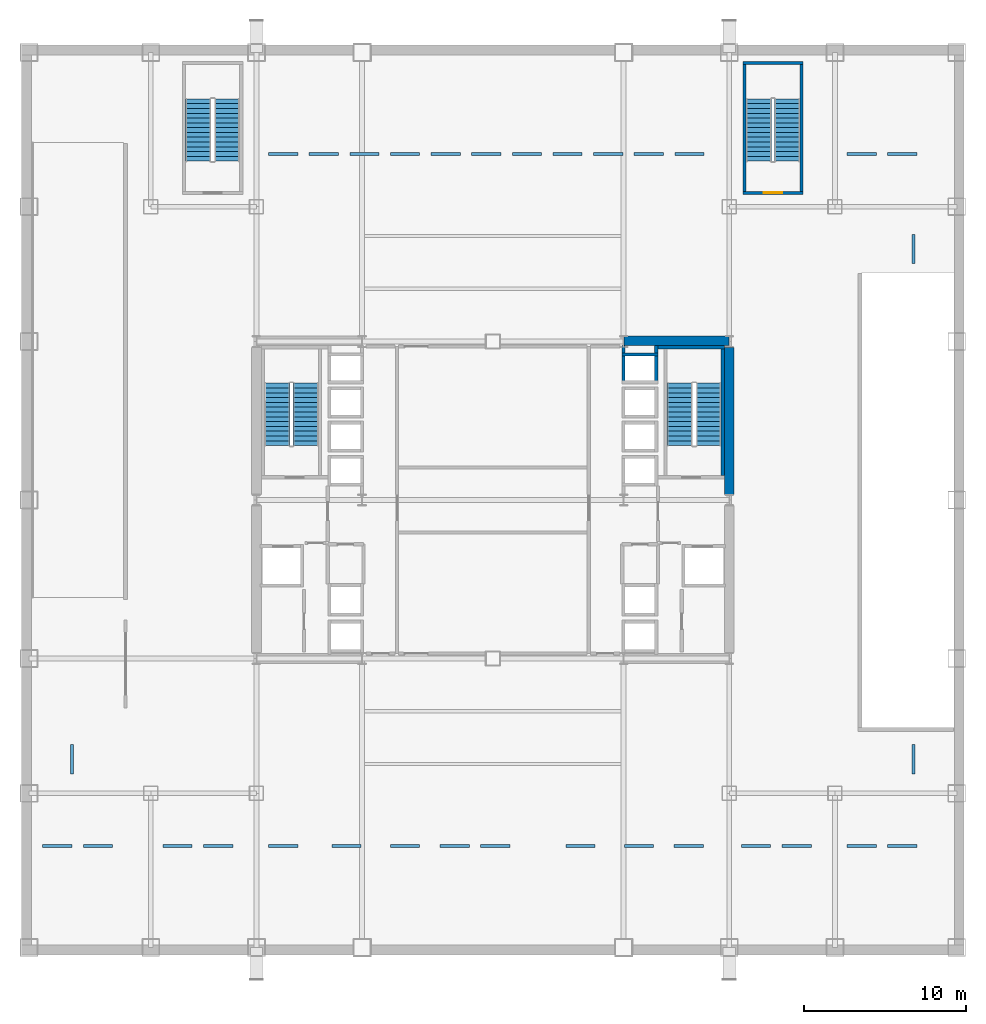
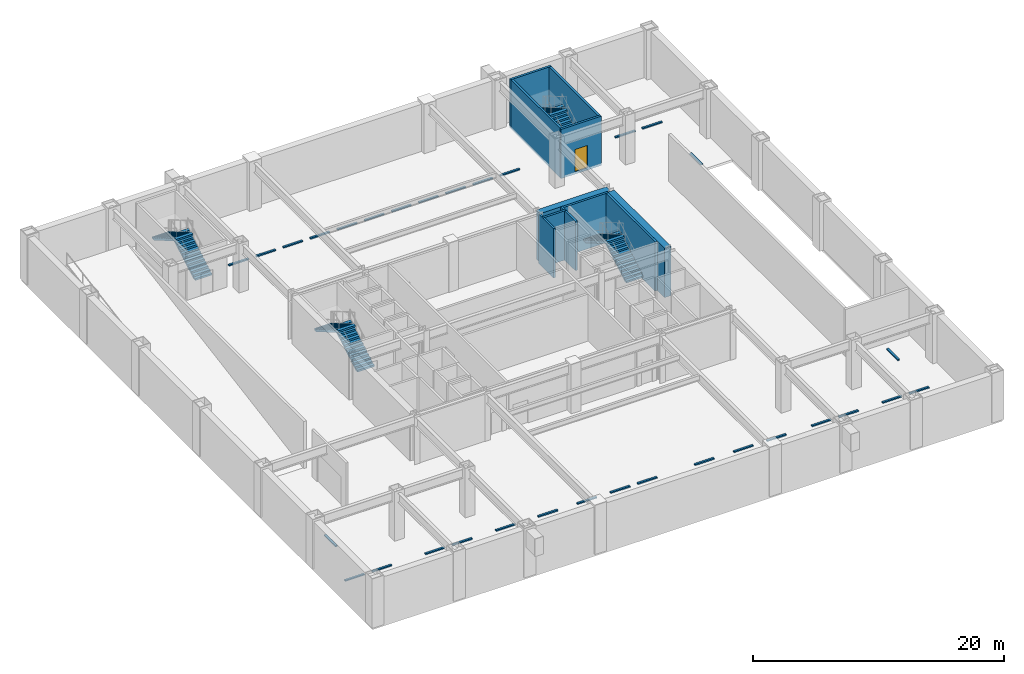
# One storey, part 8 of 10: 32 discrete accessories, 11 walls, 8 stair flights, 1 door, 1 opening, 4 elements without a shape of their own.
"""IFC4 building model written with IfcOpenShell, lengths in metres."""

from ifc_helpers import new_model, si_unit, direction, frame, frame_2d, origin, origin_2d, place, context, subcontext, project, spatial, polyline, rectangle, outline, extrude, material, layer, layer_set, type_object, element, fill, aggregate, save


model = new_model("IFC4")

# Units and contexts
model_context = context("Model", 3, precision=1e-05, world=origin(), true_north=direction((0.0, 1.0)))
body_context = subcontext(model_context, "Body", "Model", "MODEL_VIEW")
ifc_project = project(units=[si_unit("LENGTHUNIT", "METRE"), si_unit("AREAUNIT", "SQUARE_METRE"), si_unit("VOLUMEUNIT", "CUBIC_METRE"), si_unit("PLANEANGLEUNIT", "RADIAN"), si_unit("MASSUNIT", "GRAM", prefix="KILO")], contexts=[model_context])

# Site, building, storey
site_placement = place(None, origin())
site = spatial("IfcSite", under=ifc_project, at=site_placement, CompositionType="ELEMENT")
building_placement = place(site_placement, origin())
building = spatial("IfcBuilding", under=site, at=building_placement, Name="Brelmoor Portico Tower", CompositionType="ELEMENT")
storey_placement = place(building_placement, frame((0.0, 0.0, -4.800048828125)))
storey = spatial("IfcBuildingStorey", under=building, at=storey_placement, Name="B1", CompositionType="ELEMENT", Elevation=-4.800048828125)

# Walls
ifc_material_1 = material(Name="Concrete C60", Category="concrete")
ifc_layer_1 = layer(ifc_material_1, 0.60009765625)
ifc_layer_set_1 = layer_set([ifc_layer_1], Name="Concrete C60")
wall_type_1 = type_object("IfcWallType", Name="WL-CORE-600", PredefinedType="SHEAR", material=ifc_layer_set_1)
wall_1_placement = place(storey_placement, frame((8.070068359375, 9.800048828125, -0.219970703125), z_axis=(0.0, 0.0, 1.0), x_axis=(1.0, 0.0, 0.0)))
element("IfcWall", 1, at=wall_1_placement, inside=storey, type_object=wall_type_1, Name="B1 EC North Shear Wall", PredefinedType="SHEAR", context=body_context, shape_type="SweptSolid", body=[
    extrude(rectangle(XDim=6.4599609375, YDim=0.60009765625, at=frame_2d((3.22998046875, 0.0))), origin(), (0.0, 0.0, 1.0), 4.800048828125),
])
wall_2_placement = place(storey_placement, frame((14.550048828125, 0.35009765625, -0.219970703125), z_axis=(0.0, 0.0, 1.0), x_axis=(0.0, 1.0, 0.0)))
element("IfcWall", 2, at=wall_2_placement, inside=storey, type_object=wall_type_1, Name="B1 EC Outer North Shear Wall", PredefinedType="SHEAR", context=body_context, shape_type="SweptSolid", body=[
    extrude(rectangle(XDim=9.0498046875, YDim=0.60009765625, at=frame_2d((4.52490234375, 0.0))), origin(), (0.0, 0.0, 1.0), 4.800048828125),
])
ifc_material_2 = material(Name="Precast Concrete C40", Category="concrete")
ifc_layer_2 = layer(ifc_material_2, 0.18994140625)
ifc_layer_set_2 = layer_set([ifc_layer_2], Name="Precast Concrete C40")
wall_type_2 = type_object("IfcWallType", Name="WL-SHAFT-180", PredefinedType="SOLIDWALL", material=ifc_layer_set_2)
for number, where, z_axis, x_axis, name in (
    (3, (8.044921875, 7.14990234375, -0.219970703125), (0.0, 0.0, 1.0), (0.0, 1.0, 0.0), "B1 Lift PM4 Hoistway Front Wall"),
    (4, (10.054931640625, 7.14990234375, -0.219970703125), (0.0, 0.0, 1.0), (0.0, 1.0, 0.0), "B1 Lift PM4 Hoistway Back Wall"),
):
    element("IfcWall", number, at=place(storey_placement, frame(where, z_axis=z_axis, x_axis=x_axis)), inside=storey, type_object=wall_type_2, Name=name, PredefinedType="SOLIDWALL", context=body_context, shape_type="SweptSolid", body=[
        extrude(rectangle(XDim=2.3701171875, YDim=0.18994140625, at=frame_2d((1.18505859375, 0.0))), origin(), (0.0, 0.0, 1.0), 4.800048828125),
    ])
wall_3_placement = place(storey_placement, frame((7.949951171875, 8.955078125, -0.219970703125), z_axis=(0.0, 0.0, 1.0), x_axis=(1.0, 0.0, 0.0)))
element("IfcWall", 5, at=wall_3_placement, inside=storey, type_object=wall_type_2, Name="B1 Lift PM4 Hoistway North Wall", PredefinedType="SOLIDWALL", context=body_context, shape_type="SweptSolid", body=[
    extrude(rectangle(XDim=2.199951171875, YDim=0.18994140625, at=frame_2d((1.10009765625, 0.0))), origin(), (0.0, 0.0, 1.0), 4.800048828125),
])
ifc_material_3 = material(Name="Concrete C40", Category="concrete")
ifc_layer_3 = layer(ifc_material_3, 0.199951171875)
ifc_layer_set_3 = layer_set([ifc_layer_3], Name="Concrete C40")
wall_type_3 = type_object("IfcWallType", Name="WL-SHAFT-RC200", PredefinedType="SOLIDWALL", material=ifc_layer_set_3)
wall_4_placement = place(storey_placement, frame((14.14990234375, 1.5, -0.219970703125), z_axis=(0.0, 0.0, 1.0), x_axis=(0.0, 1.0, 0.0)))
element("IfcWall", 6, at=wall_4_placement, inside=storey, type_object=wall_type_3, Name="B1 ST-E Structural Stair Wall Outer", PredefinedType="SOLIDWALL", context=body_context, shape_type="SweptSolid", body=[
    extrude(rectangle(XDim=7.800048828125, YDim=0.199951171875, at=frame_2d((3.89990234375, 0.0))), origin(), (0.0, 0.0, 1.0), 4.800048828125),
])
wall_5_placement = place(storey_placement, frame((10.14990234375, 9.39990234375, -0.219970703125), z_axis=(0.0, 0.0, 1.0), x_axis=(1.0, 0.0, 0.0)))
element("IfcWall", 7, at=wall_5_placement, inside=storey, type_object=wall_type_3, Name="B1 ST-E Structural Stair Wall N", PredefinedType="SOLIDWALL", context=body_context, shape_type="SweptSolid", body=[
    extrude(rectangle(XDim=4.10009765625, YDim=0.199951171875, at=frame_2d((2.050048828125, 0.0))), origin(), (0.0, 0.0, 1.0), 4.800048828125),
])

# Wall, opening, door
wall_6_placement = place(storey_placement, frame((15.3798828125, 18.89990234375, -0.219970703125), z_axis=(0.0, 0.0, 1.0), x_axis=(1.0, 0.0, 0.0)))
wall_6 = element("IfcWall", 8, at=wall_6_placement, inside=storey, type_object=wall_type_3, Name="B1 ST-P2 Structural Stair Wall S", PredefinedType="SOLIDWALL", context=body_context, shape_type="SweptSolid", body=[
    extrude(rectangle(XDim=3.72021484375, YDim=0.199951171875, at=frame_2d((1.860107421875, 0.0))), origin(), (0.0, 0.0, 1.0), 4.800048828125),
])
opening_placement = place(wall_6_placement, frame((1.300048828125, 0.0, 0.219970703125)))
opening = element("IfcOpeningElement", 9, at=opening_placement, cuts=wall_6, Name="Opening D-ST1", PredefinedType="OPENING", context=body_context, shape_type="SweptSolid", body=[
    extrude(rectangle(XDim=1.1201171875, YDim=2.179931640625, at=frame_2d((0.56005859375, 1.08984375))), frame((0.0, 0.10986328125, 0.0), z_axis=(0.0, -1.0, 0.0), x_axis=(1.0, 0.0, 0.0)), (0.0, 0.0, 1.0), 0.219970703125),
])
ifc_material_4 = material(Name="Painted Galvanised Steel Fire Door", Category="steel")
door_type = type_object("IfcDoorType", Name="DR-STAIR-1100", OperationType="NOTDEFINED", PredefinedType="DOOR", material=ifc_material_4)
door_placement = place(opening_placement, origin())
door = element("IfcDoor", 10, at=door_placement, inside=storey, type_object=door_type, Name="D-0038 B1 ST-P2 Podium Exit Stair Door", OperationType="SINGLE_SWING_RIGHT", OverallHeight=2.179931640625, OverallWidth=1.1201171875, PredefinedType="DOOR", context=body_context, shape_type="SweptSolid", body=[
    extrude(rectangle(XDim=1.1201171875, YDim=2.179931640625, at=frame_2d((0.56005859375, 1.08984375))), frame((0.0, 0.02490234375, 0.0), z_axis=(0.0, -1.0, 0.0), x_axis=(1.0, 0.0, 0.0)), (0.0, 0.0, 1.0), 0.050048828125),
])
fill(opening, door)

# Walls
wall_7_placement = place(storey_placement, frame((15.3798828125, 26.89990234375, -0.219970703125), z_axis=(0.0, 0.0, 1.0), x_axis=(1.0, 0.0, 0.0)))
element("IfcWall", 11, at=wall_7_placement, inside=storey, type_object=wall_type_3, Name="B1 ST-P2 Structural Stair Wall N", PredefinedType="SOLIDWALL", context=body_context, shape_type="SweptSolid", body=[
    extrude(rectangle(XDim=3.72021484375, YDim=0.199951171875, at=frame_2d((1.860107421875, 0.0))), origin(), (0.0, 0.0, 1.0), 4.800048828125),
])
for number, where, z_axis, x_axis, name in (
    (12, (15.47998046875, 19.0, -0.219970703125), (0.0, 0.0, 1.0), (0.0, 1.0, 0.0), "B1 ST-P2 Structural Stair Wall W"),
    (13, (19.0, 19.0, -0.219970703125), (0.0, 0.0, 1.0), (0.0, 1.0, 0.0), "B1 ST-P2 Structural Stair Wall E"),
):
    element("IfcWall", number, at=place(storey_placement, frame(where, z_axis=z_axis, x_axis=x_axis)), inside=storey, type_object=wall_type_3, Name=name, PredefinedType="SOLIDWALL", context=body_context, shape_type="SweptSolid", body=[
        extrude(rectangle(XDim=7.800048828125, YDim=0.199951171875, at=frame_2d((3.89990234375, 0.0))), origin(), (0.0, 0.0, 1.0), 4.800048828125),
    ])

# Stair, stair flights
stair_type_1 = type_object("IfcStairType", Name="ST-CORE-W", PredefinedType="HALF_TURN_STAIR", material=ifc_material_3)
stair_1_placement = place(storey_placement, origin())
stair_1 = element("IfcStair", 14, at=stair_1_placement, inside=storey, type_object=stair_type_1, Name="B1 Protected Core Exit Stair ST-W", PredefinedType="HALF_TURN_STAIR")
stair_flight_type = type_object("IfcStairFlightType", Name="SF-CORE-1850", PredefinedType="STRAIGHT", material=ifc_material_3)
stair_flight_1_placement = place(storey_placement, frame((-11.510009765625, 3.35009765625, 0.0), z_axis=(0.0, 0.0, 1.0), x_axis=(0.0, 1.0, 0.0)))
stair_flight_1 = element("IfcStairFlight", 15, at=stair_flight_1_placement, type_object=stair_flight_type, Name="ST-W flight 1", NumberOfRisers=14, NumberOfTreads=13, PredefinedType="STRAIGHT", RiserHeight=0.171428571, TreadLength=0.295, context=body_context, shape_type="SweptSolid", body=[
    extrude(outline(polyline([(0.0, 0.0), (0.0, 0.17138671875), (0.294921875, 0.17138671875), (0.294921875, 0.3427734375), (0.590087890625, 0.3427734375), (0.590087890625, 0.514404296875), (0.885009765625, 0.514404296875), (0.885009765625, 0.685791015625), (1.179931640625, 0.685791015625), (1.179931640625, 0.857177734375), (1.47509765625, 0.857177734375), (1.47509765625, 1.028564453125), (1.77001953125, 1.028564453125), (1.77001953125, 1.199951171875), (2.06494140625, 1.199951171875), (2.06494140625, 1.371337890625), (2.360107421875, 1.371337890625), (2.360107421875, 1.54296875), (2.655029296875, 1.54296875), (2.655029296875, 1.71435546875), (2.949951171875, 1.71435546875), (2.949951171875, 1.8857421875), (3.2451171875, 1.8857421875), (3.2451171875, 2.05712890625), (3.5400390625, 2.05712890625), (3.5400390625, 2.228515625), (3.8349609375, 2.228515625), (3.8349609375, 2.39990234375), (3.8349609375, 2.05517578125), (0.29833984375, 0.0), (0.0, 0.0)])), frame((0.0, 0.780029296875, 0.0), z_axis=(0.0, -1.0, 0.0), x_axis=(1.0, 0.0, 0.0)), (0.0, 0.0, 1.0), 1.56005859375),
])
stair_flight_2_placement = place(storey_placement, frame((-13.27001953125, 7.18505859375, 2.400146484375), z_axis=(0.0, 0.0, 1.0), x_axis=(0.0, -1.0, 0.0)))
stair_flight_2 = element("IfcStairFlight", 16, at=stair_flight_2_placement, type_object=stair_flight_type, Name="ST-W flight 2", NumberOfRisers=14, NumberOfTreads=13, PredefinedType="STRAIGHT", RiserHeight=0.171428571, TreadLength=0.295, context=body_context, shape_type="SweptSolid", body=[
    extrude(outline(polyline([(0.0, 0.0), (0.0, 0.17138671875), (0.294921875, 0.17138671875), (0.294921875, 0.3427734375), (0.590087890625, 0.3427734375), (0.590087890625, 0.514404296875), (0.885009765625, 0.514404296875), (0.885009765625, 0.685791015625), (1.179931640625, 0.685791015625), (1.179931640625, 0.857177734375), (1.47509765625, 0.857177734375), (1.47509765625, 1.028564453125), (1.77001953125, 1.028564453125), (1.77001953125, 1.199951171875), (2.06494140625, 1.199951171875), (2.06494140625, 1.371337890625), (2.360107421875, 1.371337890625), (2.360107421875, 1.54296875), (2.655029296875, 1.54296875), (2.655029296875, 1.71435546875), (2.949951171875, 1.71435546875), (2.949951171875, 1.8857421875), (3.2451171875, 1.8857421875), (3.2451171875, 2.05712890625), (3.5400390625, 2.05712890625), (3.5400390625, 2.228515625), (3.8349609375, 2.228515625), (3.8349609375, 2.39990234375), (3.8349609375, 2.05517578125), (0.29833984375, 0.0), (0.0, 0.0)])), frame((0.0, 0.780029296875, 0.0), z_axis=(0.0, -1.0, 0.0), x_axis=(1.0, 0.0, 0.0)), (0.0, 0.0, 1.0), 1.56005859375),
])
aggregate(stair_1, [stair_flight_1, stair_flight_2])

stair_type_2 = type_object("IfcStairType", Name="ST-CORE-E", PredefinedType="HALF_TURN_STAIR", material=ifc_material_3)
stair_2_placement = place(storey_placement, origin())
stair_2 = element("IfcStair", 17, at=stair_2_placement, inside=storey, type_object=stair_type_2, Name="B1 Protected Core Exit Stair ST-E", PredefinedType="HALF_TURN_STAIR")
stair_flight_3_placement = place(storey_placement, frame((13.27001953125, 3.35009765625, 0.0), z_axis=(0.0, 0.0, 1.0), x_axis=(0.0, 1.0, 0.0)))
stair_flight_3 = element("IfcStairFlight", 18, at=stair_flight_3_placement, type_object=stair_flight_type, Name="ST-E flight 1", NumberOfRisers=14, NumberOfTreads=13, PredefinedType="STRAIGHT", RiserHeight=0.171428571, TreadLength=0.295, context=body_context, shape_type="SweptSolid", body=[
    extrude(outline(polyline([(0.0, 0.0), (0.0, 0.17138671875), (0.294921875, 0.17138671875), (0.294921875, 0.3427734375), (0.590087890625, 0.3427734375), (0.590087890625, 0.514404296875), (0.885009765625, 0.514404296875), (0.885009765625, 0.685791015625), (1.179931640625, 0.685791015625), (1.179931640625, 0.857177734375), (1.47509765625, 0.857177734375), (1.47509765625, 1.028564453125), (1.77001953125, 1.028564453125), (1.77001953125, 1.199951171875), (2.06494140625, 1.199951171875), (2.06494140625, 1.371337890625), (2.360107421875, 1.371337890625), (2.360107421875, 1.54296875), (2.655029296875, 1.54296875), (2.655029296875, 1.71435546875), (2.949951171875, 1.71435546875), (2.949951171875, 1.8857421875), (3.2451171875, 1.8857421875), (3.2451171875, 2.05712890625), (3.5400390625, 2.05712890625), (3.5400390625, 2.228515625), (3.8349609375, 2.228515625), (3.8349609375, 2.39990234375), (3.8349609375, 2.05517578125), (0.29833984375, 0.0), (0.0, 0.0)])), frame((0.0, 0.780029296875, 0.0), z_axis=(0.0, -1.0, 0.0), x_axis=(1.0, 0.0, 0.0)), (0.0, 0.0, 1.0), 1.56005859375),
])
stair_flight_4_placement = place(storey_placement, frame((11.510009765625, 7.18505859375, 2.400146484375), z_axis=(0.0, 0.0, 1.0), x_axis=(0.0, -1.0, 0.0)))
stair_flight_4 = element("IfcStairFlight", 19, at=stair_flight_4_placement, type_object=stair_flight_type, Name="ST-E flight 2", NumberOfRisers=14, NumberOfTreads=13, PredefinedType="STRAIGHT", RiserHeight=0.171428571, TreadLength=0.295, context=body_context, shape_type="SweptSolid", body=[
    extrude(outline(polyline([(0.0, 0.0), (0.0, 0.17138671875), (0.294921875, 0.17138671875), (0.294921875, 0.3427734375), (0.590087890625, 0.3427734375), (0.590087890625, 0.514404296875), (0.885009765625, 0.514404296875), (0.885009765625, 0.685791015625), (1.179931640625, 0.685791015625), (1.179931640625, 0.857177734375), (1.47509765625, 0.857177734375), (1.47509765625, 1.028564453125), (1.77001953125, 1.028564453125), (1.77001953125, 1.199951171875), (2.06494140625, 1.199951171875), (2.06494140625, 1.371337890625), (2.360107421875, 1.371337890625), (2.360107421875, 1.54296875), (2.655029296875, 1.54296875), (2.655029296875, 1.71435546875), (2.949951171875, 1.71435546875), (2.949951171875, 1.8857421875), (3.2451171875, 1.8857421875), (3.2451171875, 2.05712890625), (3.5400390625, 2.05712890625), (3.5400390625, 2.228515625), (3.8349609375, 2.228515625), (3.8349609375, 2.39990234375), (3.8349609375, 2.05517578125), (0.29833984375, 0.0), (0.0, 0.0)])), frame((0.0, 0.780029296875, 0.0), z_axis=(0.0, -1.0, 0.0), x_axis=(1.0, 0.0, 0.0)), (0.0, 0.0, 1.0), 1.56005859375),
])
aggregate(stair_2, [stair_flight_3, stair_flight_4])

stair_type_3 = type_object("IfcStairType", Name="ST-POD-P1", PredefinedType="HALF_TURN_STAIR", material=ifc_material_3)
stair_3_placement = place(storey_placement, origin())
stair_3 = element("IfcStair", 20, at=stair_3_placement, inside=storey, type_object=stair_type_3, Name="B1 Podium Protected Exit Stair ST-P1", PredefinedType="HALF_TURN_STAIR")
stair_flight_5_placement = place(storey_placement, frame((-16.360107421875, 20.85009765625, 0.0), z_axis=(0.0, 0.0, 1.0), x_axis=(0.0, 1.0, 0.0)))
stair_flight_5 = element("IfcStairFlight", 21, at=stair_flight_5_placement, type_object=stair_flight_type, Name="ST-P1 flight 1", NumberOfRisers=14, NumberOfTreads=13, PredefinedType="STRAIGHT", RiserHeight=0.171428571, TreadLength=0.295, context=body_context, shape_type="SweptSolid", body=[
    extrude(outline(polyline([(0.0, 0.0), (0.0, 0.17138671875), (0.294921875, 0.17138671875), (0.294921875, 0.3427734375), (0.590087890625, 0.3427734375), (0.590087890625, 0.514404296875), (0.885009765625, 0.514404296875), (0.885009765625, 0.685791015625), (1.179931640625, 0.685791015625), (1.179931640625, 0.857177734375), (1.47509765625, 0.857177734375), (1.47509765625, 1.028564453125), (1.77001953125, 1.028564453125), (1.77001953125, 1.199951171875), (2.06494140625, 1.199951171875), (2.06494140625, 1.371337890625), (2.360107421875, 1.371337890625), (2.360107421875, 1.54296875), (2.655029296875, 1.54296875), (2.655029296875, 1.71435546875), (2.949951171875, 1.71435546875), (2.949951171875, 1.8857421875), (3.2451171875, 1.8857421875), (3.2451171875, 2.05712890625), (3.5400390625, 2.05712890625), (3.5400390625, 2.228515625), (3.8349609375, 2.228515625), (3.8349609375, 2.39990234375), (3.8349609375, 2.05517578125), (0.29833984375, 0.0), (0.0, 0.0)])), frame((0.0, 0.780029296875, 0.0), z_axis=(0.0, -1.0, 0.0), x_axis=(1.0, 0.0, 0.0)), (0.0, 0.0, 1.0), 1.56005859375),
])
stair_flight_6_placement = place(storey_placement, frame((-18.1201171875, 24.68505859375, 2.400146484375), z_axis=(0.0, 0.0, 1.0), x_axis=(0.0, -1.0, 0.0)))
stair_flight_6 = element("IfcStairFlight", 22, at=stair_flight_6_placement, type_object=stair_flight_type, Name="ST-P1 flight 2", NumberOfRisers=14, NumberOfTreads=13, PredefinedType="STRAIGHT", RiserHeight=0.171428571, TreadLength=0.295, context=body_context, shape_type="SweptSolid", body=[
    extrude(outline(polyline([(0.0, 0.0), (0.0, 0.17138671875), (0.294921875, 0.17138671875), (0.294921875, 0.3427734375), (0.590087890625, 0.3427734375), (0.590087890625, 0.514404296875), (0.885009765625, 0.514404296875), (0.885009765625, 0.685791015625), (1.179931640625, 0.685791015625), (1.179931640625, 0.857177734375), (1.47509765625, 0.857177734375), (1.47509765625, 1.028564453125), (1.77001953125, 1.028564453125), (1.77001953125, 1.199951171875), (2.06494140625, 1.199951171875), (2.06494140625, 1.371337890625), (2.360107421875, 1.371337890625), (2.360107421875, 1.54296875), (2.655029296875, 1.54296875), (2.655029296875, 1.71435546875), (2.949951171875, 1.71435546875), (2.949951171875, 1.8857421875), (3.2451171875, 1.8857421875), (3.2451171875, 2.05712890625), (3.5400390625, 2.05712890625), (3.5400390625, 2.228515625), (3.8349609375, 2.228515625), (3.8349609375, 2.39990234375), (3.8349609375, 2.05517578125), (0.29833984375, 0.0), (0.0, 0.0)])), frame((0.0, 0.780029296875, 0.0), z_axis=(0.0, -1.0, 0.0), x_axis=(1.0, 0.0, 0.0)), (0.0, 0.0, 1.0), 1.56005859375),
])
aggregate(stair_3, [stair_flight_5, stair_flight_6])

stair_type_4 = type_object("IfcStairType", Name="ST-POD-P2", PredefinedType="HALF_TURN_STAIR", material=ifc_material_3)
stair_4_placement = place(storey_placement, origin())
stair_4 = element("IfcStair", 23, at=stair_4_placement, inside=storey, type_object=stair_type_4, Name="B1 Podium Protected Exit Stair ST-P2", PredefinedType="HALF_TURN_STAIR")
stair_flight_7_placement = place(storey_placement, frame((18.1201171875, 20.85009765625, 0.0), z_axis=(0.0, 0.0, 1.0), x_axis=(0.0, 1.0, 0.0)))
stair_flight_7 = element("IfcStairFlight", 24, at=stair_flight_7_placement, type_object=stair_flight_type, Name="ST-P2 flight 1", NumberOfRisers=14, NumberOfTreads=13, PredefinedType="STRAIGHT", RiserHeight=0.171428571, TreadLength=0.295, context=body_context, shape_type="SweptSolid", body=[
    extrude(outline(polyline([(0.0, 0.0), (0.0, 0.17138671875), (0.294921875, 0.17138671875), (0.294921875, 0.3427734375), (0.590087890625, 0.3427734375), (0.590087890625, 0.514404296875), (0.885009765625, 0.514404296875), (0.885009765625, 0.685791015625), (1.179931640625, 0.685791015625), (1.179931640625, 0.857177734375), (1.47509765625, 0.857177734375), (1.47509765625, 1.028564453125), (1.77001953125, 1.028564453125), (1.77001953125, 1.199951171875), (2.06494140625, 1.199951171875), (2.06494140625, 1.371337890625), (2.360107421875, 1.371337890625), (2.360107421875, 1.54296875), (2.655029296875, 1.54296875), (2.655029296875, 1.71435546875), (2.949951171875, 1.71435546875), (2.949951171875, 1.8857421875), (3.2451171875, 1.8857421875), (3.2451171875, 2.05712890625), (3.5400390625, 2.05712890625), (3.5400390625, 2.228515625), (3.8349609375, 2.228515625), (3.8349609375, 2.39990234375), (3.8349609375, 2.05517578125), (0.29833984375, 0.0), (0.0, 0.0)])), frame((0.0, 0.780029296875, 0.0), z_axis=(0.0, -1.0, 0.0), x_axis=(1.0, 0.0, 0.0)), (0.0, 0.0, 1.0), 1.56005859375),
])
stair_flight_8_placement = place(storey_placement, frame((16.360107421875, 24.68505859375, 2.400146484375), z_axis=(0.0, 0.0, 1.0), x_axis=(0.0, -1.0, 0.0)))
stair_flight_8 = element("IfcStairFlight", 25, at=stair_flight_8_placement, type_object=stair_flight_type, Name="ST-P2 flight 2", NumberOfRisers=14, NumberOfTreads=13, PredefinedType="STRAIGHT", RiserHeight=0.171428571, TreadLength=0.295, context=body_context, shape_type="SweptSolid", body=[
    extrude(outline(polyline([(0.0, 0.0), (0.0, 0.17138671875), (0.294921875, 0.17138671875), (0.294921875, 0.3427734375), (0.590087890625, 0.3427734375), (0.590087890625, 0.514404296875), (0.885009765625, 0.514404296875), (0.885009765625, 0.685791015625), (1.179931640625, 0.685791015625), (1.179931640625, 0.857177734375), (1.47509765625, 0.857177734375), (1.47509765625, 1.028564453125), (1.77001953125, 1.028564453125), (1.77001953125, 1.199951171875), (2.06494140625, 1.199951171875), (2.06494140625, 1.371337890625), (2.360107421875, 1.371337890625), (2.360107421875, 1.54296875), (2.655029296875, 1.54296875), (2.655029296875, 1.71435546875), (2.949951171875, 1.71435546875), (2.949951171875, 1.8857421875), (3.2451171875, 1.8857421875), (3.2451171875, 2.05712890625), (3.5400390625, 2.05712890625), (3.5400390625, 2.228515625), (3.8349609375, 2.228515625), (3.8349609375, 2.39990234375), (3.8349609375, 2.05517578125), (0.29833984375, 0.0), (0.0, 0.0)])), frame((0.0, 0.780029296875, 0.0), z_axis=(0.0, -1.0, 0.0), x_axis=(1.0, 0.0, 0.0)), (0.0, 0.0, 1.0), 1.56005859375),
])
aggregate(stair_4, [stair_flight_7, stair_flight_8])

# Discrete accessories
discrete_accessory_type = type_object("IfcDiscreteAccessoryType", Name="AC-WHEEL-STOP", PredefinedType="USERDEFINED", material=ifc_material_2)
for number, where, z_axis, x_axis, name in (
    (26, (-12.89990234375, 21.300048828125, 0.0), (0.0, 0.0, 1.0), (1.0, 0.0, 0.0), "B1 Standard Car Parking Bay Wheel Stop PB-032"),
    (27, (-10.39990234375, 21.300048828125, 0.0), (0.0, 0.0, 1.0), (1.0, 0.0, 0.0), "B1 Standard Car Parking Bay Wheel Stop PB-033"),
    (28, (-7.89990234375, 21.300048828125, 0.0), (0.0, 0.0, 1.0), (1.0, 0.0, 0.0), "B1 Standard Car Parking Bay Wheel Stop PB-034"),
    (29, (-5.39990234375, 21.300048828125, 0.0), (0.0, 0.0, 1.0), (1.0, 0.0, 0.0), "B1 Standard Car Parking Bay Wheel Stop PB-035"),
    (30, (-2.89990234375, 21.300048828125, 0.0), (0.0, 0.0, 1.0), (1.0, 0.0, 0.0), "B1 Standard Car Parking Bay Wheel Stop PB-036"),
    (31, (-0.39990234375, 21.300048828125, 0.0), (0.0, 0.0, 1.0), (1.0, 0.0, 0.0), "B1 Standard Car Parking Bay Wheel Stop PB-037"),
    (32, (2.10009765625, 21.300048828125, 0.0), (0.0, 0.0, 1.0), (1.0, 0.0, 0.0), "B1 Standard Car Parking Bay Wheel Stop PB-038"),
    (33, (4.60009765625, 21.300048828125, 0.0), (0.0, 0.0, 1.0), (1.0, 0.0, 0.0), "B1 Standard Car Parking Bay Wheel Stop PB-039"),
    (34, (7.10009765625, 21.300048828125, 0.0), (0.0, 0.0, 1.0), (1.0, 0.0, 0.0), "B1 Standard Car Parking Bay Wheel Stop PB-040"),
    (35, (9.60009765625, 21.300048828125, 0.0), (0.0, 0.0, 1.0), (1.0, 0.0, 0.0), "B1 Standard Car Parking Bay Wheel Stop PB-041"),
    (36, (12.10009765625, 21.300048828125, 0.0), (0.0, 0.0, 1.0), (1.0, 0.0, 0.0), "B1 Standard Car Parking Bay Wheel Stop PB-042"),
    (37, (22.699951171875, 21.300048828125, 0.0), (0.0, 0.0, 1.0), (1.0, 0.0, 0.0), "B1 Standard Car Parking Bay Wheel Stop PB-043"),
    (38, (25.199951171875, 21.300048828125, 0.0), (0.0, 0.0, 1.0), (1.0, 0.0, 0.0), "B1 Standard Car Parking Bay Wheel Stop PB-044"),
    (39, (-26.800048828125, -21.300048828125, 0.0), (0.0, 0.0, 1.0), (1.0, 0.0, 0.0), "B1 Standard Car Parking Bay Wheel Stop PB-045"),
    (40, (-24.300048828125, -21.300048828125, 0.0), (0.0, 0.0, 1.0), (1.0, 0.0, 0.0), "B1 Standard Car Parking Bay Wheel Stop PB-046"),
    (41, (-19.39990234375, -21.300048828125, 0.0), (0.0, 0.0, 1.0), (1.0, 0.0, 0.0), "B1 Standard Car Parking Bay Wheel Stop PB-047"),
    (42, (-16.89990234375, -21.300048828125, 0.0), (0.0, 0.0, 1.0), (1.0, 0.0, 0.0), "B1 Standard Car Parking Bay Wheel Stop PB-048"),
    (43, (-12.89990234375, -21.300048828125, 0.0), (0.0, 0.0, 1.0), (1.0, 0.0, 0.0), "B1 Standard Car Parking Bay Wheel Stop PB-049"),
    (44, (-9.0, -21.300048828125, 0.0), (0.0, 0.0, 1.0), (1.0, 0.0, 0.0), "B1 Accessible Parking Bay Wheel Stop AP-05"),
    (45, (-5.39990234375, -21.300048828125, 0.0), (0.0, 0.0, 1.0), (1.0, 0.0, 0.0), "B1 Accessible Parking Bay Wheel Stop AP-06"),
    (46, (-2.35009765625, -21.300048828125, 0.0), (0.0, 0.0, 1.0), (1.0, 0.0, 0.0), "B1 Standard Car Parking Bay Wheel Stop PB-050"),
    (47, (0.14990234375, -21.300048828125, 0.0), (0.0, 0.0, 1.0), (1.0, 0.0, 0.0), "B1 Standard Car Parking Bay Wheel Stop PB-051"),
    (48, (5.39990234375, -21.300048828125, 0.0), (0.0, 0.0, 1.0), (1.0, 0.0, 0.0), "B1 Accessible Parking Bay Wheel Stop AP-07"),
    (49, (9.0, -21.300048828125, 0.0), (0.0, 0.0, 1.0), (1.0, 0.0, 0.0), "B1 Accessible Parking Bay Wheel Stop AP-08"),
    (50, (12.050048828125, -21.300048828125, 0.0), (0.0, 0.0, 1.0), (1.0, 0.0, 0.0), "B1 Standard Car Parking Bay Wheel Stop PB-052"),
    (51, (16.199951171875, -21.300048828125, 0.0), (0.0, 0.0, 1.0), (1.0, 0.0, 0.0), "B1 Standard Car Parking Bay Wheel Stop PB-053"),
    (52, (18.699951171875, -21.300048828125, 0.0), (0.0, 0.0, 1.0), (1.0, 0.0, 0.0), "B1 Standard Car Parking Bay Wheel Stop PB-054"),
    (53, (22.699951171875, -21.300048828125, 0.0), (0.0, 0.0, 1.0), (1.0, 0.0, 0.0), "B1 Standard Car Parking Bay Wheel Stop PB-055"),
    (54, (25.199951171875, -21.300048828125, 0.0), (0.0, 0.0, 1.0), (1.0, 0.0, 0.0), "B1 Standard Car Parking Bay Wheel Stop PB-056"),
    (55, (-25.89990234375, -15.949951171875, 0.0), (0.0, 0.0, 1.0), (0.0, 1.0, 0.0), "B1 Standard Car Parking Bay Wheel Stop PB-057"),
    (56, (25.89990234375, -15.949951171875, 0.0), (0.0, 0.0, 1.0), (0.0, 1.0, 0.0), "B1 Standard Car Parking Bay Wheel Stop PB-058"),
    (57, (25.89990234375, 15.449951171875, 0.0), (0.0, 0.0, 1.0), (0.0, 1.0, 0.0), "B1 Standard Car Parking Bay Wheel Stop PB-059"),
):
    element("IfcDiscreteAccessory", number, at=place(storey_placement, frame(where, z_axis=z_axis, x_axis=x_axis)), inside=storey, type_object=discrete_accessory_type, Name=name, ObjectType="WHEEL STOP", PredefinedType="USERDEFINED", context=body_context, shape_type="SweptSolid", body=[
        extrude(rectangle(XDim=1.800048828125, YDim=0.179931640625, at=origin_2d()), origin(), (0.0, 0.0, 1.0), 0.1201171875),
    ])

save(model, "model.ifc")
